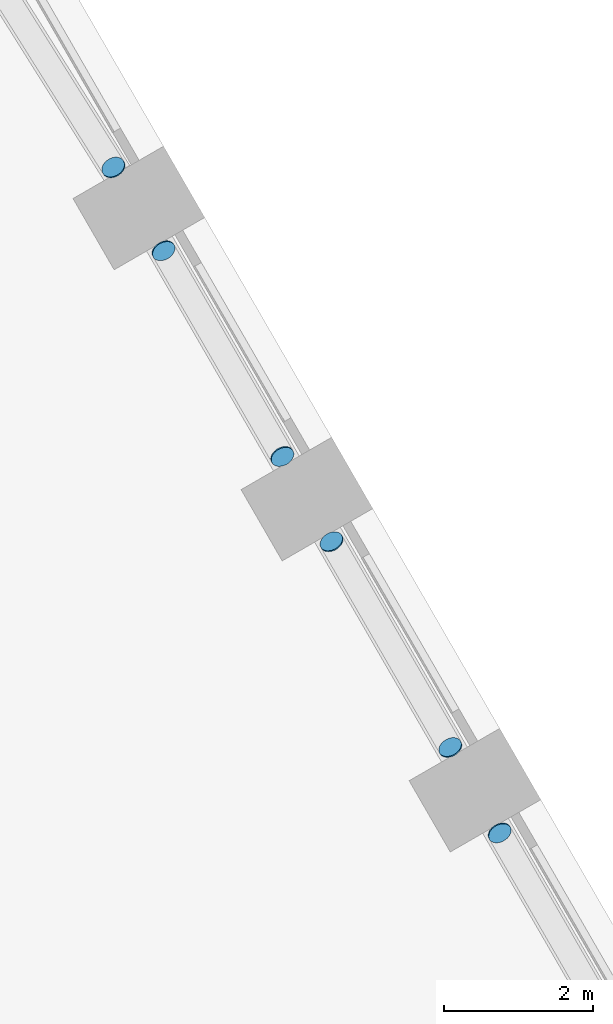
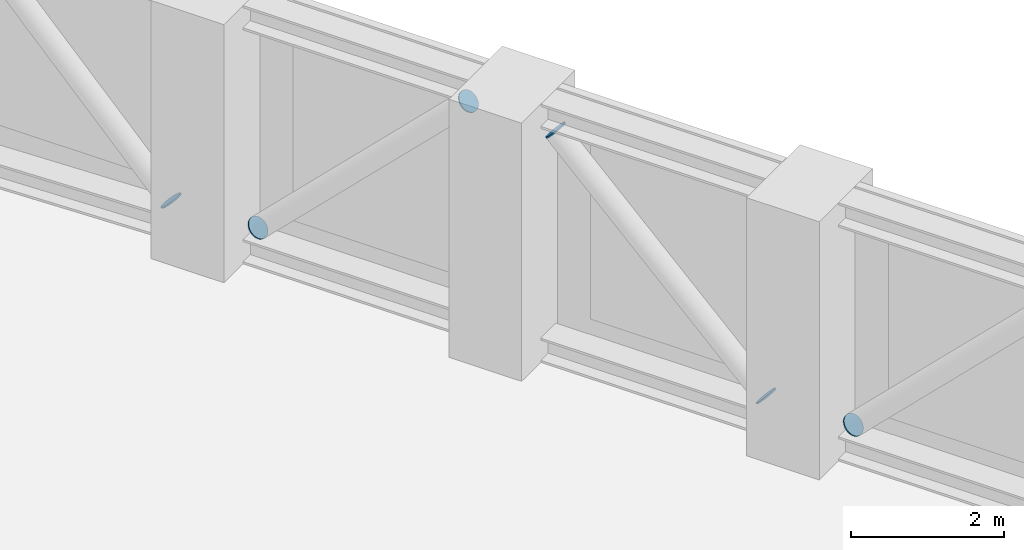
# One storey, part 17 of 18: 6 discrete accessories.
"""IFC4 building model written with IfcOpenShell, lengths in metres."""

import ifcopenshell
import ifcopenshell.guid

model = None  # the IFC model being written
_history = None  # IfcOwnerHistory: only IFC2X3 demands one
_inside = {}  # id of a spatial element -> (the spatial element, [elements in it])
_under = {}  # id of a project, library or spatial element -> (it, [spatial elements below it])
_declared = {}  # id of a project -> (the project, [libraries it declares])
_typed = {}  # id of a type object -> (the type object, [elements of that type])
_made_of = {}  # id of a material, layer set ... -> (it, [elements and type objects made of it])


def new_model(schema):
    """Start an empty IFC model of exactly this schema.

    Asked for "IFC4X3", IfcOpenShell would pick the latest addendum, in which some entities
    have other attributes; the version numbers below select the first issue.
    IFC2X3 requires an IfcOwnerHistory on every rooted entity: one is made here for all.
    """
    global model, _history
    if schema == "IFC4X3":
        model = ifcopenshell.file(schema_version=(4, 3, 0, 0))
    else:
        model = ifcopenshell.file(schema=schema)
    _inside.clear()
    _under.clear()
    _declared.clear()
    _typed.clear()
    _made_of.clear()
    _history = None
    if model.schema == "IFC2X3":
        org = make("IfcOrganization", Name="unknown")
        user = make(
            "IfcPersonAndOrganization",
            ThePerson=make("IfcPerson", FamilyName="unknown"),
            TheOrganization=org,
        )
        app = make(
            "IfcApplication",
            ApplicationDeveloper=org,
            Version="unknown",
            ApplicationFullName="unknown",
            ApplicationIdentifier="unknown",
        )
        _history = make(
            "IfcOwnerHistory",
            OwningUser=user,
            OwningApplication=app,
            ChangeAction="ADDED",
            CreationDate=0,
        )
    return model


def make(cls, **values):
    """One entity of the class cls with the attributes given. An attribute that is None is left unset."""
    return model.create_entity(
        cls, **{name: value for name, value in values.items() if value is not None}
    )


def rooted(cls, **values):
    """An entity with a GlobalId (a new one), such as an element, a storey or a relation."""
    return make(cls, GlobalId=ifcopenshell.guid.new(), OwnerHistory=_history, **values)


def si_unit(unit_type, name, prefix=None):
    """IfcSIUnit, for example si_unit("LENGTHUNIT", "METRE", prefix="MILLI")."""
    return make("IfcSIUnit", UnitType=unit_type, Prefix=prefix, Name=name)


def assignment(units):
    """IfcUnitAssignment: the units of a project."""
    return None if units is None else make("IfcUnitAssignment", Units=units)


def point(xyz):
    """IfcCartesianPoint."""
    return None if xyz is None else make("IfcCartesianPoint", Coordinates=xyz)


def direction(xyz):
    """IfcDirection."""
    return None if xyz is None else make("IfcDirection", DirectionRatios=xyz)


def frame(location, z_axis=None, x_axis=None):
    """IfcAxis2Placement3D, a coordinate frame: its origin and axes. An axis left out is left unset."""
    return make(
        "IfcAxis2Placement3D",
        Location=point(location),
        Axis=direction(z_axis),
        RefDirection=direction(x_axis),
    )


def frame_2d(location, x_axis=None):
    """IfcAxis2Placement2D, a coordinate frame in the plane: its origin and x axis."""
    return make(
        "IfcAxis2Placement2D", Location=point(location), RefDirection=direction(x_axis)
    )


def origin():
    """The frame at (0, 0, 0) with its axes left unset."""
    return frame((0.0, 0.0, 0.0))


def origin_2d():
    """The frame at (0, 0) in the plane with its x axis left unset."""
    return frame_2d((0.0, 0.0))


def place(relative_to, where):
    """IfcLocalPlacement: puts the frame where relative to a parent placement (None: the world)."""
    return make(
        "IfcLocalPlacement", PlacementRelTo=relative_to, RelativePlacement=where
    )


def context(
    kind, dimensions, precision=None, world=None, true_north=None, identifier=None
):
    """IfcGeometricRepresentationContext, for example the 3D "Model" context."""
    return make(
        "IfcGeometricRepresentationContext",
        ContextIdentifier=identifier,
        ContextType=kind,
        CoordinateSpaceDimension=dimensions,
        Precision=precision,
        WorldCoordinateSystem=world,
        TrueNorth=true_north,
    )


def subcontext(parent, identifier, kind, view, scale=None):
    """IfcGeometricRepresentationSubContext, for example "Body" below "Model"."""
    return make(
        "IfcGeometricRepresentationSubContext",
        ContextIdentifier=identifier,
        ContextType=kind,
        ParentContext=parent,
        TargetScale=scale,
        TargetView=view,
    )


def project(units=None, contexts=None):
    """IfcProject with its units and contexts."""
    return rooted(
        "IfcProject",
        Name="project",
        RepresentationContexts=contexts,
        UnitsInContext=assignment(units),
    )


def spatial(cls, under=None, at=None, **own):
    """A site, building, storey or space (cls), placed at a placement, below another one or the project."""
    s = rooted(cls, ObjectPlacement=at, **own)
    if under is not None:
        _under.setdefault(under.id(), (under, []))[1].append(s)
    return s


def profile(cls, at=None, kind="AREA", **sizes):
    """A parametric profile (cls). Its sizes go by their IFC names, for example OverallWidth=200.0."""
    return make(cls, ProfileType=kind, Position=at, **sizes)


def circle(**sizes):
    """IfcCircleProfileDef."""
    return profile("IfcCircleProfileDef", **sizes)


def extrude(swept, where, along, depth):
    """IfcExtrudedAreaSolid: the profile swept, set in the frame where, extruded along a direction by depth."""
    return make(
        "IfcExtrudedAreaSolid",
        SweptArea=swept,
        Position=where,
        ExtrudedDirection=direction(along),
        Depth=depth,
    )


def shape(context_of_items, identifier, shape_type, items):
    """IfcShapeRepresentation: the items that make up one representation, for example the "Body"."""
    return make(
        "IfcShapeRepresentation",
        ContextOfItems=context_of_items,
        RepresentationIdentifier=identifier,
        RepresentationType=shape_type,
        Items=items,
    )


def material(Name=None, Category=None):
    """IfcMaterial."""
    return make("IfcMaterial", Name=Name, Category=Category)


def material_profile(
    of_material, cross_section, Name=None, Category=None, Priority=None
):
    """IfcMaterialProfile: a cross section and its material."""
    return make(
        "IfcMaterialProfile",
        Name=Name,
        Material=of_material,
        Profile=cross_section,
        Priority=Priority,
        Category=Category,
    )


def profile_set(profiles, Name=None, composite=None):
    """IfcMaterialProfileSet."""
    return make(
        "IfcMaterialProfileSet",
        Name=Name,
        MaterialProfiles=profiles,
        CompositeProfile=composite,
    )


def made_of(thing, what):
    """Note that an element or type object is made of a material, layer set ...; save() writes the relation."""
    if what is not None:
        _made_of.setdefault(what.id(), (what, []))[1].append(thing)
    return thing


def type_object(cls, material=None, **own):
    """A type object (cls), such as IfcWallType, which elements share."""
    return made_of(rooted(cls, **own), material)


def element(
    cls,
    number,
    at=None,
    inside=None,
    cuts=None,
    type_object=None,
    material=None,
    context=None,
    identifier="Body",
    shape_type=None,
    held_by="IfcProductDefinitionShape",
    body=None,
    shapes=None,
    **own,
):
    """One element of the class cls, such as IfcWall. Its Tag is "e" and its number.

    at: its placement. inside: the storey or other place that contains it. cuts: it is an
    opening in that element (IfcRelVoidsElement). A single representation is given by context,
    identifier, shape_type and body (its items); several are given by shapes. held_by: the class
    of the entity that holds the representations. save() writes the other relations.
    """
    e = rooted(cls, Tag="e%d" % number, ObjectPlacement=at, **own)
    if body is not None:
        shapes = [shape(context, identifier, shape_type, body)]
    if shapes is not None:
        e.Representation = make(held_by, Representations=shapes)
    if inside is not None:
        _inside.setdefault(inside.id(), (inside, []))[1].append(e)
    if cuts is not None:
        rooted(
            "IfcRelVoidsElement", RelatingBuildingElement=cuts, RelatedOpeningElement=e
        )
    if type_object is not None:
        _typed.setdefault(type_object.id(), (type_object, []))[1].append(e)
    return made_of(e, material)


def aggregate(whole, parts):
    """IfcRelAggregates: a whole, such as a stair, and the parts it consists of."""
    return rooted("IfcRelAggregates", RelatingObject=whole, RelatedObjects=parts)


def save(model, path):
    """Write the relations noted so far, then the file.

    IfcRelAggregates (storeys below a building ...), IfcRelContainedInSpatialStructure (elements
    in a storey), IfcRelDefinesByType, IfcRelAssociatesMaterial and IfcRelDeclares: one each for
    every whole, place, type object, material and project.
    """
    for whole, parts in _under.values():
        aggregate(whole, parts)
    for where, things in _inside.values():
        rooted(
            "IfcRelContainedInSpatialStructure",
            RelatedElements=things,
            RelatingStructure=where,
        )
    for kind, things in _typed.values():
        rooted("IfcRelDefinesByType", RelatedObjects=things, RelatingType=kind)
    for what, things in _made_of.values():
        rooted("IfcRelAssociatesMaterial", RelatedObjects=things, RelatingMaterial=what)
    for by, libraries in _declared.values():
        rooted("IfcRelDeclares", RelatingContext=by, RelatedDefinitions=libraries)
    model.write(path)


model = new_model("IFC4")

# Units and contexts
model_context = context("Model", 3, precision=1e-05, world=origin(), true_north=direction((0.0, 1.0)))
body_context = subcontext(model_context, "Body", "Model", "MODEL_VIEW")
ifc_project = project(units=[si_unit("LENGTHUNIT", "METRE"), si_unit("AREAUNIT", "SQUARE_METRE"), si_unit("VOLUMEUNIT", "CUBIC_METRE"), si_unit("PLANEANGLEUNIT", "RADIAN"), si_unit("MASSUNIT", "GRAM", prefix="KILO")], contexts=[model_context])

# Site, building, storey
site_placement = place(None, origin())
site = spatial("IfcSite", under=ifc_project, at=site_placement, CompositionType="ELEMENT")
building_placement = place(site_placement, origin())
building = spatial("IfcBuilding", under=site, at=building_placement, Name="Dhurran Vertical Campus", CompositionType="ELEMENT")
storey_placement = place(building_placement, frame((0.0, 0.0, 76.800048828125)))
storey = spatial("IfcBuildingStorey", under=building, at=storey_placement, Name="L18 Plant", CompositionType="ELEMENT", Elevation=76.800048828125)

# Discrete accessories
ifc_material = material(Name="Steel S355J2", Category="steel")
ifc_material_profile = material_profile(ifc_material, circle(Radius=0.161865234375, at=origin_2d()), Name="Tube end cap 324 x 20")
ifc_profile_set = profile_set([ifc_material_profile], Name="Steel S355J2")
discrete_accessory_type = type_object("IfcDiscreteAccessoryType", Name="Tube end cap 324 x 20", PredefinedType="USERDEFINED", material=ifc_profile_set)
for number, where, z_axis, x_axis, name in (
    (1, (30.62451171875, 16.910888671875, 0.502197265625), (-0.367911267232, 0.613185445387, -0.699031407741), (-0.857492925713, -0.514495755428, 0.0), "EC1 belt L18 d21 capA"),
    (2, (29.95751953125, 18.066162109375, 0.502197265625), (0.354529585537, -0.623483064221, -0.696834012953), (0.869290118928, 0.494302224488, 0.0), "EC1 belt L18 d22 capA"),
):
    element("IfcDiscreteAccessory", number, at=place(storey_placement, frame(where, z_axis=z_axis, x_axis=x_axis)), inside=storey, type_object=discrete_accessory_type, Name=name, ObjectType="END CAP", PredefinedType="USERDEFINED", context=body_context, shape_type="SweptSolid", body=[
        extrude(circle(Radius=0.161865234375, at=origin_2d()), origin(), (0.0, 0.0, 1.0), 0.02001953125),
    ])
discrete_accessory_placement = place(storey_placement, frame((28.37451171875, 20.807861328125, 3.62255859375), z_axis=(-0.362077038074, 0.615530964726, 0.700015606943), x_axis=(-0.861934215158, -0.507020126563, 0.0)))
element("IfcDiscreteAccessory", 3, at=discrete_accessory_placement, inside=storey, type_object=discrete_accessory_type, Name="EC1 belt L18 d22 capB", ObjectType="END CAP", PredefinedType="USERDEFINED", context=body_context, shape_type="SweptSolid", body=[
    extrude(circle(Radius=0.161865234375, at=origin_2d()), origin(), (0.0, 0.0, 1.0), 0.020263671875),
])
for number, where, z_axis, x_axis, name in (
    (4, (26.12451171875, 24.705078125, 0.502197265625), (-0.367911267232, 0.613185445387, -0.699031407741), (-0.857492925713, -0.514495755428, 0.0), "EC1 belt L18 d23 capA"),
    (5, (27.70751953125, 21.96337890625, 3.62255859375), (0.351521607435, -0.618193171696, 0.70304321487), (0.869290118928, 0.494302224488, 0.0), "EC1 belt L18 d23 capB"),
    (6, (25.44677734375, 25.8310546875, 0.4951171875), (0.352428962185, -0.571177973196, -0.741316092871), (0.8510360128, 0.525107327047, 0.0), "EC1 belt L18 d24 capA"),
):
    element("IfcDiscreteAccessory", number, at=place(storey_placement, frame(where, z_axis=z_axis, x_axis=x_axis)), inside=storey, type_object=discrete_accessory_type, Name=name, ObjectType="END CAP", PredefinedType="USERDEFINED", context=body_context, shape_type="SweptSolid", body=[
        extrude(circle(Radius=0.161865234375, at=origin_2d()), origin(), (0.0, 0.0, 1.0), 0.02001953125),
    ])

save(model, "model.ifc")
